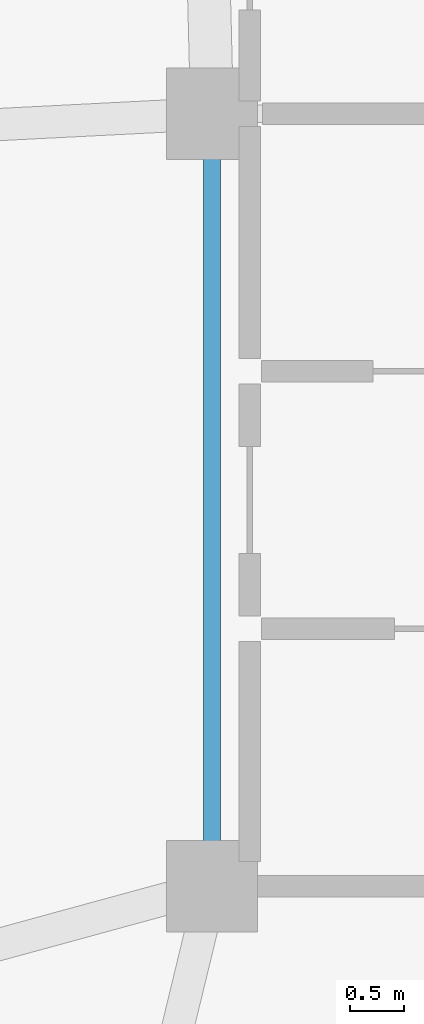
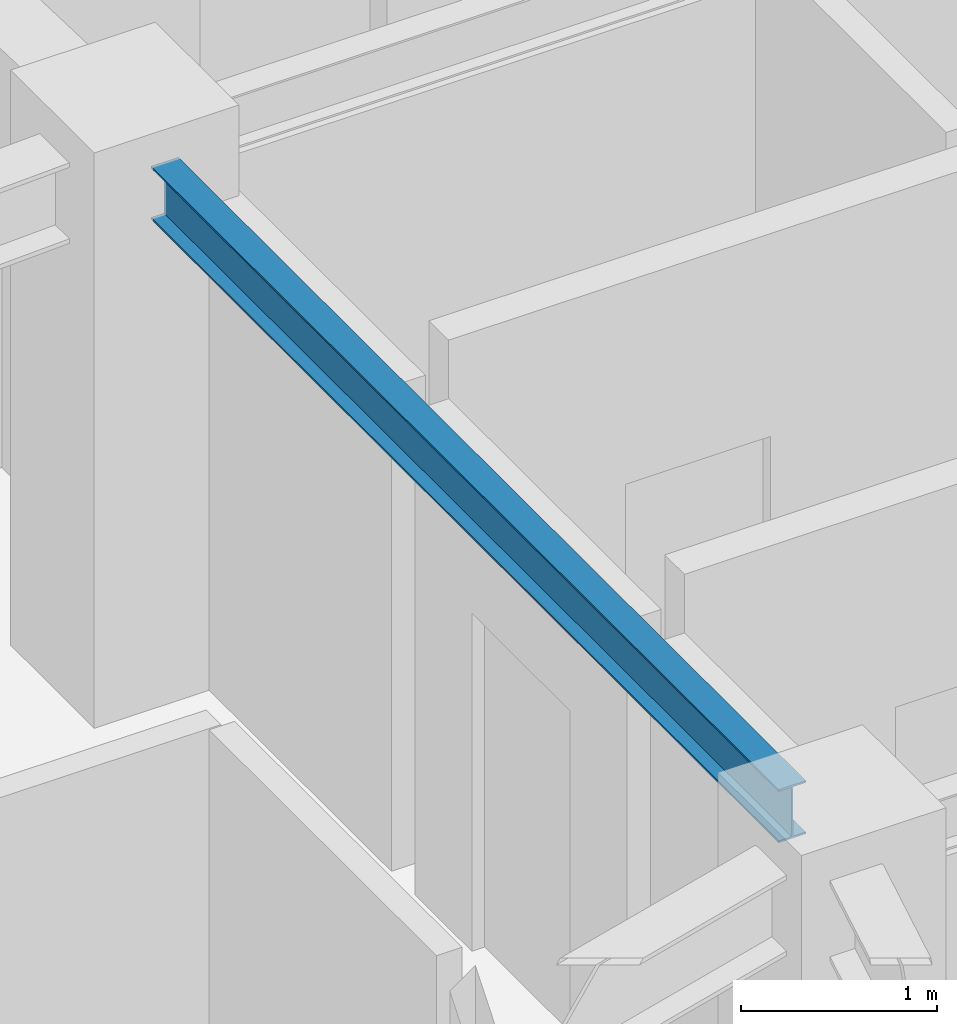
# One storey, part 6 of 26: 1 beam.
"""IFC4 building model written with IfcOpenShell, lengths in metres."""

from ifc_helpers import new_model, si_unit, direction, frame, origin, origin_2d, place, context, subcontext, project, spatial, i_section, extrude, material, material_profile, profile_set, type_object, element, save


model = new_model("IFC4")

# Units and contexts
model_context = context("Model", 3, precision=1e-05, world=origin(), true_north=direction((0.0, 1.0)))
body_context = subcontext(model_context, "Body", "Model", "MODEL_VIEW")
ifc_project = project(units=[si_unit("LENGTHUNIT", "METRE"), si_unit("AREAUNIT", "SQUARE_METRE"), si_unit("VOLUMEUNIT", "CUBIC_METRE"), si_unit("PLANEANGLEUNIT", "RADIAN"), si_unit("MASSUNIT", "GRAM", prefix="KILO")], contexts=[model_context])

# Site, building, storey
site_placement = place(None, origin())
site = spatial("IfcSite", under=ifc_project, at=site_placement, CompositionType="ELEMENT")
building_placement = place(site_placement, origin())
building = spatial("IfcBuilding", under=site, at=building_placement, Name="Varnakorn Sky Granary", CompositionType="ELEMENT")
storey_placement = place(building_placement, frame((0.0, 0.0, 218.39990234375)))
storey = spatial("IfcBuildingStorey", under=building, at=storey_placement, Name="L55", CompositionType="ELEMENT", Elevation=218.39990234375)

# Beam
ifc_material = material(Name="Steel S355JR", Category="steel")
ifc_material_profile = material_profile(ifc_material, i_section(OverallWidth=0.159912109375, OverallDepth=0.330078125, WebThickness=0.007568359375, FlangeThickness=0.011474609375, at=origin_2d()), Name="IPE 330")
ifc_profile_set = profile_set([ifc_material_profile], Name="Steel S355JR")
beam_type = type_object("IfcBeamType", Name="BM-SEC-Z4", PredefinedType="BEAM", material=ifc_profile_set)
beam_placement = place(storey_placement, frame((-2.35009765625, 0.195068359375, 3.195068359375), z_axis=(0.0, -1.0, 0.0), x_axis=(1.0, 0.0, 0.0)))
element("IfcBeam", 1, at=beam_placement, inside=storey, type_object=beam_type, Name="Core Spine Framing Beam 3 L55", PredefinedType="BEAM", context=body_context, shape_type="SweptSolid", body=[
    extrude(i_section(OverallWidth=0.159912109375, OverallDepth=0.330078125, WebThickness=0.007568359375, FlangeThickness=0.011474609375, at=origin_2d()), origin(), (0.0, 0.0, 1.0), 6.39013671875),
])

save(model, "model.ifc")
